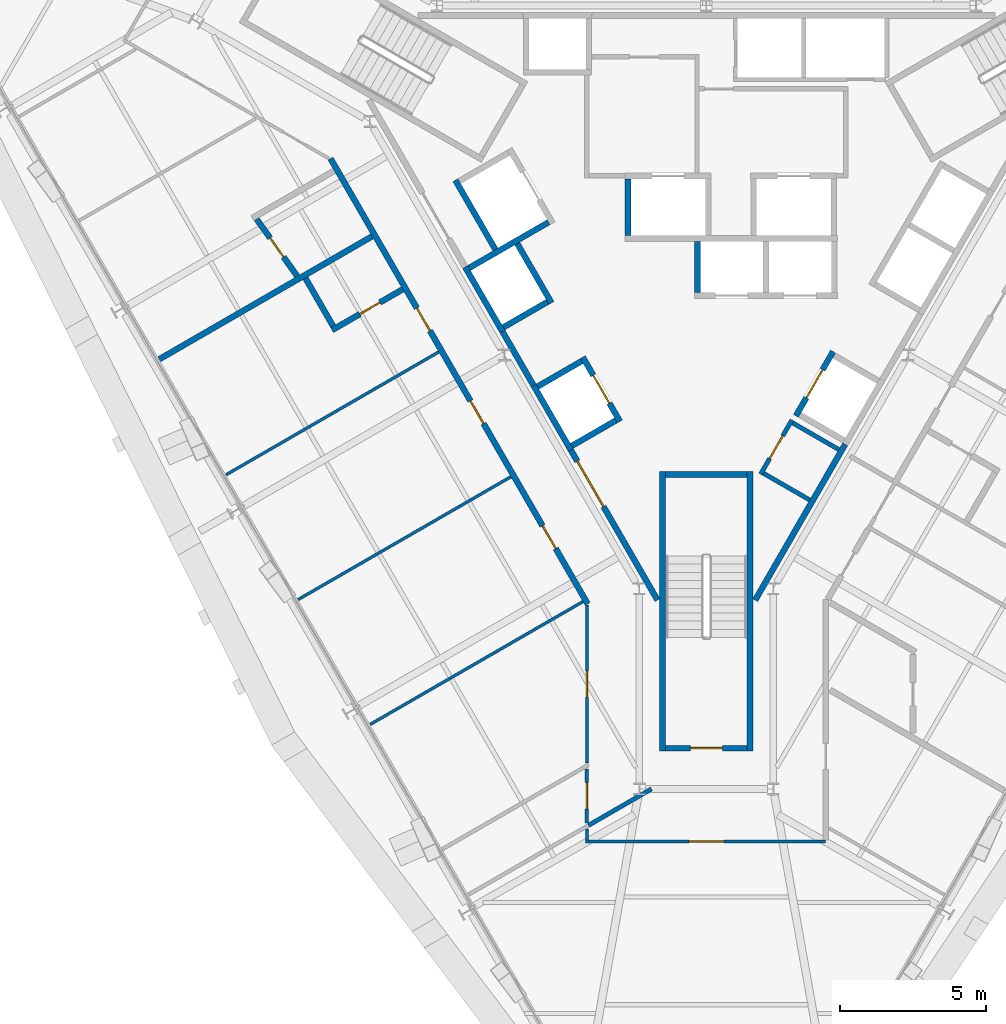
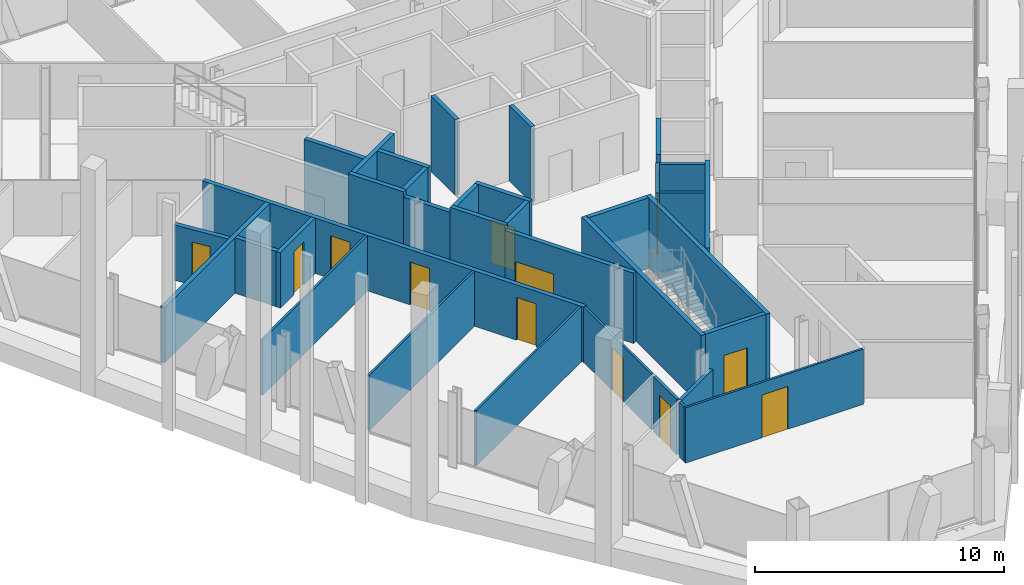
# One storey, part 10 of 15: 35 walls, 13 doors, 13 openings.
"""IFC4 building model written with IfcOpenShell, lengths in metres."""

import ifcopenshell
import ifcopenshell.guid

model = None  # the IFC model being written
_history = None  # IfcOwnerHistory: only IFC2X3 demands one
_inside = {}  # id of a spatial element -> (the spatial element, [elements in it])
_under = {}  # id of a project, library or spatial element -> (it, [spatial elements below it])
_declared = {}  # id of a project -> (the project, [libraries it declares])
_typed = {}  # id of a type object -> (the type object, [elements of that type])
_made_of = {}  # id of a material, layer set ... -> (it, [elements and type objects made of it])


def new_model(schema):
    """Start an empty IFC model of exactly this schema.

    Asked for "IFC4X3", IfcOpenShell would pick the latest addendum, in which some entities
    have other attributes; the version numbers below select the first issue.
    IFC2X3 requires an IfcOwnerHistory on every rooted entity: one is made here for all.
    """
    global model, _history
    if schema == "IFC4X3":
        model = ifcopenshell.file(schema_version=(4, 3, 0, 0))
    else:
        model = ifcopenshell.file(schema=schema)
    _inside.clear()
    _under.clear()
    _declared.clear()
    _typed.clear()
    _made_of.clear()
    _history = None
    if model.schema == "IFC2X3":
        org = make("IfcOrganization", Name="unknown")
        user = make(
            "IfcPersonAndOrganization",
            ThePerson=make("IfcPerson", FamilyName="unknown"),
            TheOrganization=org,
        )
        app = make(
            "IfcApplication",
            ApplicationDeveloper=org,
            Version="unknown",
            ApplicationFullName="unknown",
            ApplicationIdentifier="unknown",
        )
        _history = make(
            "IfcOwnerHistory",
            OwningUser=user,
            OwningApplication=app,
            ChangeAction="ADDED",
            CreationDate=0,
        )
    return model


def make(cls, **values):
    """One entity of the class cls with the attributes given. An attribute that is None is left unset."""
    return model.create_entity(
        cls, **{name: value for name, value in values.items() if value is not None}
    )


def rooted(cls, **values):
    """An entity with a GlobalId (a new one), such as an element, a storey or a relation."""
    return make(cls, GlobalId=ifcopenshell.guid.new(), OwnerHistory=_history, **values)


def si_unit(unit_type, name, prefix=None):
    """IfcSIUnit, for example si_unit("LENGTHUNIT", "METRE", prefix="MILLI")."""
    return make("IfcSIUnit", UnitType=unit_type, Prefix=prefix, Name=name)


def assignment(units):
    """IfcUnitAssignment: the units of a project."""
    return None if units is None else make("IfcUnitAssignment", Units=units)


def point(xyz):
    """IfcCartesianPoint."""
    return None if xyz is None else make("IfcCartesianPoint", Coordinates=xyz)


def direction(xyz):
    """IfcDirection."""
    return None if xyz is None else make("IfcDirection", DirectionRatios=xyz)


def frame(location, z_axis=None, x_axis=None):
    """IfcAxis2Placement3D, a coordinate frame: its origin and axes. An axis left out is left unset."""
    return make(
        "IfcAxis2Placement3D",
        Location=point(location),
        Axis=direction(z_axis),
        RefDirection=direction(x_axis),
    )


def frame_2d(location, x_axis=None):
    """IfcAxis2Placement2D, a coordinate frame in the plane: its origin and x axis."""
    return make(
        "IfcAxis2Placement2D", Location=point(location), RefDirection=direction(x_axis)
    )


def origin():
    """The frame at (0, 0, 0) with its axes left unset."""
    return frame((0.0, 0.0, 0.0))


def place(relative_to, where):
    """IfcLocalPlacement: puts the frame where relative to a parent placement (None: the world)."""
    return make(
        "IfcLocalPlacement", PlacementRelTo=relative_to, RelativePlacement=where
    )


def context(
    kind, dimensions, precision=None, world=None, true_north=None, identifier=None
):
    """IfcGeometricRepresentationContext, for example the 3D "Model" context."""
    return make(
        "IfcGeometricRepresentationContext",
        ContextIdentifier=identifier,
        ContextType=kind,
        CoordinateSpaceDimension=dimensions,
        Precision=precision,
        WorldCoordinateSystem=world,
        TrueNorth=true_north,
    )


def subcontext(parent, identifier, kind, view, scale=None):
    """IfcGeometricRepresentationSubContext, for example "Body" below "Model"."""
    return make(
        "IfcGeometricRepresentationSubContext",
        ContextIdentifier=identifier,
        ContextType=kind,
        ParentContext=parent,
        TargetScale=scale,
        TargetView=view,
    )


def project(units=None, contexts=None):
    """IfcProject with its units and contexts."""
    return rooted(
        "IfcProject",
        Name="project",
        RepresentationContexts=contexts,
        UnitsInContext=assignment(units),
    )


def spatial(cls, under=None, at=None, **own):
    """A site, building, storey or space (cls), placed at a placement, below another one or the project."""
    s = rooted(cls, ObjectPlacement=at, **own)
    if under is not None:
        _under.setdefault(under.id(), (under, []))[1].append(s)
    return s


def profile(cls, at=None, kind="AREA", **sizes):
    """A parametric profile (cls). Its sizes go by their IFC names, for example OverallWidth=200.0."""
    return make(cls, ProfileType=kind, Position=at, **sizes)


def rectangle(**sizes):
    """IfcRectangleProfileDef."""
    return profile("IfcRectangleProfileDef", **sizes)


def extrude(swept, where, along, depth):
    """IfcExtrudedAreaSolid: the profile swept, set in the frame where, extruded along a direction by depth."""
    return make(
        "IfcExtrudedAreaSolid",
        SweptArea=swept,
        Position=where,
        ExtrudedDirection=direction(along),
        Depth=depth,
    )


def shape(context_of_items, identifier, shape_type, items):
    """IfcShapeRepresentation: the items that make up one representation, for example the "Body"."""
    return make(
        "IfcShapeRepresentation",
        ContextOfItems=context_of_items,
        RepresentationIdentifier=identifier,
        RepresentationType=shape_type,
        Items=items,
    )


def material(Name=None, Category=None):
    """IfcMaterial."""
    return make("IfcMaterial", Name=Name, Category=Category)


def layer(
    of_material, thickness, ventilated=None, Name=None, Category=None, Priority=None
):
    """IfcMaterialLayer: one layer of a wall or slab, of a material (None: an air gap)."""
    return make(
        "IfcMaterialLayer",
        Material=of_material,
        LayerThickness=thickness,
        IsVentilated=ventilated,
        Name=Name,
        Category=Category,
        Priority=Priority,
    )


def layer_set(layers, Name=None):
    """IfcMaterialLayerSet."""
    return make("IfcMaterialLayerSet", MaterialLayers=layers, LayerSetName=Name)


def made_of(thing, what):
    """Note that an element or type object is made of a material, layer set ...; save() writes the relation."""
    if what is not None:
        _made_of.setdefault(what.id(), (what, []))[1].append(thing)
    return thing


def type_object(cls, material=None, **own):
    """A type object (cls), such as IfcWallType, which elements share."""
    return made_of(rooted(cls, **own), material)


def element(
    cls,
    number,
    at=None,
    inside=None,
    cuts=None,
    type_object=None,
    material=None,
    context=None,
    identifier="Body",
    shape_type=None,
    held_by="IfcProductDefinitionShape",
    body=None,
    shapes=None,
    **own,
):
    """One element of the class cls, such as IfcWall. Its Tag is "e" and its number.

    at: its placement. inside: the storey or other place that contains it. cuts: it is an
    opening in that element (IfcRelVoidsElement). A single representation is given by context,
    identifier, shape_type and body (its items); several are given by shapes. held_by: the class
    of the entity that holds the representations. save() writes the other relations.
    """
    e = rooted(cls, Tag="e%d" % number, ObjectPlacement=at, **own)
    if body is not None:
        shapes = [shape(context, identifier, shape_type, body)]
    if shapes is not None:
        e.Representation = make(held_by, Representations=shapes)
    if inside is not None:
        _inside.setdefault(inside.id(), (inside, []))[1].append(e)
    if cuts is not None:
        rooted(
            "IfcRelVoidsElement", RelatingBuildingElement=cuts, RelatedOpeningElement=e
        )
    if type_object is not None:
        _typed.setdefault(type_object.id(), (type_object, []))[1].append(e)
    return made_of(e, material)


def fill(opening, filler):
    """IfcRelFillsElement: the door or window that sits in an opening."""
    return rooted(
        "IfcRelFillsElement",
        RelatingOpeningElement=opening,
        RelatedBuildingElement=filler,
    )


def aggregate(whole, parts):
    """IfcRelAggregates: a whole, such as a stair, and the parts it consists of."""
    return rooted("IfcRelAggregates", RelatingObject=whole, RelatedObjects=parts)


def save(model, path):
    """Write the relations noted so far, then the file.

    IfcRelAggregates (storeys below a building ...), IfcRelContainedInSpatialStructure (elements
    in a storey), IfcRelDefinesByType, IfcRelAssociatesMaterial and IfcRelDeclares: one each for
    every whole, place, type object, material and project.
    """
    for whole, parts in _under.values():
        aggregate(whole, parts)
    for where, things in _inside.values():
        rooted(
            "IfcRelContainedInSpatialStructure",
            RelatedElements=things,
            RelatingStructure=where,
        )
    for kind, things in _typed.values():
        rooted("IfcRelDefinesByType", RelatedObjects=things, RelatingType=kind)
    for what, things in _made_of.values():
        rooted("IfcRelAssociatesMaterial", RelatedObjects=things, RelatingMaterial=what)
    for by, libraries in _declared.values():
        rooted("IfcRelDeclares", RelatingContext=by, RelatedDefinitions=libraries)
    model.write(path)


model = new_model("IFC4")

# Units and contexts
model_context = context("Model", 3, precision=1e-05, world=origin(), true_north=direction((0.0, 1.0)))
body_context = subcontext(model_context, "Body", "Model", "MODEL_VIEW")
ifc_project = project(units=[si_unit("LENGTHUNIT", "METRE"), si_unit("AREAUNIT", "SQUARE_METRE"), si_unit("VOLUMEUNIT", "CUBIC_METRE"), si_unit("PLANEANGLEUNIT", "RADIAN"), si_unit("MASSUNIT", "GRAM", prefix="KILO")], contexts=[model_context])

# Site, building, storey
site_placement = place(None, origin())
site = spatial("IfcSite", under=ifc_project, at=site_placement, CompositionType="ELEMENT")
building_placement = place(site_placement, origin())
building = spatial("IfcBuilding", under=site, at=building_placement, Name="Verrane Prism Tower", CompositionType="ELEMENT")
storey_placement = place(building_placement, frame((0.0, 0.0, 189.5)))
storey = spatial("IfcBuildingStorey", under=building, at=storey_placement, Name="L47", CompositionType="ELEMENT", Elevation=189.5)

# Wall
ifc_material_1 = material(Name="Gypsum board partition", Category="other")
ifc_layer_1 = layer(ifc_material_1, 0.199951171875)
ifc_layer_set_1 = layer_set([ifc_layer_1], Name="CW-200 core boundary wall 2 h")
wall_type_1 = type_object("IfcWallType", Name="CW-200 core boundary wall 2 h", PredefinedType="PARTITIONING", material=ifc_layer_set_1)
wall_1_placement = place(storey_placement, frame((-7.0048828125, -3.18701171875, 0.0), z_axis=(0.0, 0.0, 1.0), x_axis=(0.499689606989, -0.866204535123, 0.0)))
element("IfcWall", 1, at=wall_1_placement, inside=storey, type_object=wall_type_1, Name="Core boundary wall CW3-003", PredefinedType="PARTITIONING", context=body_context, shape_type="SweptSolid", body=[
    extrude(rectangle(XDim=2.144775390625, YDim=0.199951171875, at=frame_2d((1.072265625, 0.0))), origin(), (0.0, 0.0, 1.0), 3.449951171875),
])

# Wall, opening, door
wall_2_placement = place(storey_placement, frame((-4.655029296875, -7.257080078125, 0.0), z_axis=(0.0, 0.0, 1.0), x_axis=(0.499966124405, -0.866044960985, 0.0)))
wall_2 = element("IfcWall", 2, at=wall_2_placement, inside=storey, type_object=wall_type_1, Name="Core boundary wall CW3-004", PredefinedType="PARTITIONING", context=body_context, shape_type="SweptSolid", body=[
    extrude(rectangle(XDim=5.95556640625, YDim=0.199951171875, at=frame_2d((2.977783203125, 0.0))), origin(), (0.0, 0.0, 1.0), 3.449951171875),
])
opening_1_placement = place(wall_2_placement, frame((0.449951171875, 0.0, 0.0)))
opening_1 = element("IfcOpeningElement", 3, at=opening_1_placement, cuts=wall_2, Name="Opening D47511", PredefinedType="OPENING", context=body_context, shape_type="SweptSolid", body=[
    extrude(rectangle(XDim=1.800048828125, YDim=2.10009765625, at=frame_2d((0.89990234375, 1.050048828125))), frame((0.0, 0.10986328125, 0.0), z_axis=(0.0, -1.0, 0.0), x_axis=(1.0, 0.0, 0.0)), (0.0, 0.0, 1.0), 0.219970703125),
])
ifc_material_2 = material(Name="Timber veneered door leaf", Category="wood")
door_type_1 = type_object("IfcDoorType", Name="DR-1800x2100 FD60 double leaf lift lobby", OperationType="NOTDEFINED", PredefinedType="DOOR", material=ifc_material_2)
door_1_placement = place(opening_1_placement, origin())
door_1 = element("IfcDoor", 4, at=door_1_placement, inside=storey, type_object=door_type_1, Name="Lift lobby door D47511", OperationType="DOUBLE_DOOR_SINGLE_SWING", OverallHeight=2.10009765625, OverallWidth=1.800048828125, PredefinedType="DOOR", context=body_context, shape_type="SweptSolid", body=[
    extrude(rectangle(XDim=1.800048828125, YDim=2.10009765625, at=frame_2d((0.89990234375, 1.050048828125))), frame((0.0, 0.02490234375, 0.0), z_axis=(0.0, -1.0, 0.0), x_axis=(1.0, 0.0, 0.0)), (0.0, 0.0, 1.0), 0.050048828125),
])
fill(opening_1, door_1)

# Wall
wall_3_placement = place(storey_placement, frame((1.677490234375, -12.414794921875, 0.0), z_axis=(0.0, 0.0, 1.0), x_axis=(0.500054337157, 0.865994029939, 0.0)))
element("IfcWall", 5, at=wall_3_placement, inside=storey, type_object=wall_type_1, Name="Core boundary wall CW3-006", PredefinedType="PARTITIONING", context=body_context, shape_type="SweptSolid", body=[
    extrude(rectangle(XDim=6.176513671875, YDim=0.199951171875, at=frame_2d((3.08837890625, 0.0))), origin(), (0.0, 0.0, 1.0), 3.449951171875),
])

# Wall, opening, door
ifc_material_3 = material(Name="Concrete C40/50", Category="concrete")
ifc_layer_2 = layer(ifc_material_3, 0.199951171875)
ifc_layer_set_2 = layer_set([ifc_layer_2], Name="CW-200 stair core wall concrete C40/50 3 h")
wall_type_2 = type_object("IfcWallType", Name="CW-200 stair core wall concrete C40/50 3 h", PredefinedType="PARTITIONING", material=ifc_layer_set_2)
wall_4_placement = place(storey_placement, frame((-1.39990234375, -17.5, 0.0), z_axis=(0.0, 0.0, 1.0), x_axis=(1.0, 0.0, 0.0)))
wall_4 = element("IfcWall", 6, at=wall_4_placement, inside=storey, type_object=wall_type_2, Name="Stair 3 enclosure wall", PredefinedType="PARTITIONING", context=body_context, shape_type="SweptSolid", body=[
    extrude(rectangle(XDim=2.7998046875, YDim=0.199951171875, at=frame_2d((1.39990234375, 0.0))), origin(), (0.0, 0.0, 1.0), 3.449951171875),
])
opening_2_placement = place(wall_4_placement, frame((0.85009765625, 0.0, 0.0)))
opening_2 = element("IfcOpeningElement", 7, at=opening_2_placement, cuts=wall_4, Name="Opening D47502", PredefinedType="OPENING", context=body_context, shape_type="SweptSolid", body=[
    extrude(rectangle(XDim=1.10009765625, YDim=2.10009765625, at=frame_2d((0.550048828125, 1.050048828125))), frame((0.0, 0.10986328125, 0.0), z_axis=(0.0, -1.0, 0.0), x_axis=(1.0, 0.0, 0.0)), (0.0, 0.0, 1.0), 0.219970703125),
])
ifc_material_4 = material(Name="Timber veneered door leaf", Category="wood")
door_type_2 = type_object("IfcDoorType", Name="DR-1100x2100 FD90 single leaf stair", OperationType="NOTDEFINED", PredefinedType="DOOR", material=ifc_material_4)
door_2_placement = place(opening_2_placement, origin())
door_2 = element("IfcDoor", 8, at=door_2_placement, inside=storey, type_object=door_type_2, Name="Stair 3 door", OperationType="SINGLE_SWING_LEFT", OverallHeight=2.10009765625, OverallWidth=1.10009765625, PredefinedType="DOOR", context=body_context, shape_type="SweptSolid", body=[
    extrude(rectangle(XDim=1.10009765625, YDim=2.10009765625, at=frame_2d((0.550048828125, 1.050048828125))), frame((0.0, 0.02490234375, 0.0), z_axis=(0.0, -1.0, 0.0), x_axis=(1.0, 0.0, 0.0)), (0.0, 0.0, 1.0), 0.050048828125),
])
fill(opening_2, door_2)

# Walls
for number, where, z_axis, x_axis, name in (
    (9, (1.5, -8.0, 0.0), (0.0, 0.0, 1.0), (0.0, -1.0, 0.0), "Stair 3 enclosure wall"),
    (10, (-1.5, -8.0, 0.0), (0.0, 0.0, 1.0), (0.0, -1.0, 0.0), "Stair 3 enclosure wall"),
):
    element("IfcWall", number, at=place(storey_placement, frame(where, z_axis=z_axis, x_axis=x_axis)), inside=storey, type_object=wall_type_2, Name=name, PredefinedType="PARTITIONING", context=body_context, shape_type="SweptSolid", body=[
        extrude(rectangle(XDim=9.60009765625, YDim=0.199951171875, at=frame_2d((4.800048828125, 0.0))), origin(), (0.0, 0.0, 1.0), 3.449951171875),
    ])
wall_5_placement = place(storey_placement, frame((-1.39990234375, -8.10009765625, 0.0), z_axis=(0.0, 0.0, 1.0), x_axis=(1.0, 0.0, 0.0)))
element("IfcWall", 11, at=wall_5_placement, inside=storey, type_object=wall_type_2, Name="Stair 3 enclosure wall", PredefinedType="PARTITIONING", context=body_context, shape_type="SweptSolid", body=[
    extrude(rectangle(XDim=2.7998046875, YDim=0.199951171875, at=frame_2d((1.39990234375, 0.0))), origin(), (0.0, 0.0, 1.0), 3.449951171875),
])
ifc_material_5 = material(Name="Gypsum board shaft wall assembly", Category="other")
ifc_layer_3 = layer(ifc_material_5, 0.199951171875)
ifc_layer_set_3 = layer_set([ifc_layer_3], Name="HW-200 lift shaft wall 2 h")
wall_type_3 = type_object("IfcWallType", Name="HW-200 lift shaft wall 2 h", PredefinedType="PARTITIONING", material=ifc_layer_set_3)
for number, where, z_axis, x_axis, name in (
    (12, (-4.61962890625, -7.118408203125, 0.0), (0.0, 0.0, 1.0), (0.866036909293, 0.499980071345, 0.0), "Lift shaft wall"),
    (13, (-5.794677734375, -5.083251953125, 0.0), (0.0, 0.0, 1.0), (0.866036909293, 0.499980071345, 0.0), "Lift shaft wall"),
    (14, (-6.9697265625, -3.048095703125, 0.0), (0.0, 0.0, 1.0), (0.866036909293, 0.499980071345, 0.0), "Lift shaft wall"),
):
    element("IfcWall", number, at=place(storey_placement, frame(where, z_axis=z_axis, x_axis=x_axis)), inside=storey, type_object=wall_type_3, Name=name, PredefinedType="PARTITIONING", context=body_context, shape_type="SweptSolid", body=[
        extrude(rectangle(XDim=1.75, YDim=0.199951171875, at=frame_2d((0.875, 0.0))), origin(), (0.0, 0.0, 1.0), 3.699951171875),
    ])
wall_6_placement = place(storey_placement, frame((-8.14453125, -1.012939453125, 0.0), z_axis=(0.0, 0.0, 1.0), x_axis=(0.866016494683, 0.500015430699, 0.0)))
element("IfcWall", 15, at=wall_6_placement, inside=storey, type_object=wall_type_3, Name="Lift shaft wall", PredefinedType="PARTITIONING", context=body_context, shape_type="SweptSolid", body=[
    extrude(rectangle(XDim=3.14990234375, YDim=0.199951171875, at=frame_2d((1.574951171875, 0.0))), origin(), (0.0, 0.0, 1.0), 3.699951171875),
])

# Wall, opening, door
wall_7_placement = place(storey_placement, frame((3.077392578125, -6.089599609375, 0.0), z_axis=(0.0, 0.0, 1.0), x_axis=(0.500062241894, 0.865989465428, 0.0)))
wall_7 = element("IfcWall", 16, at=wall_7_placement, inside=storey, type_object=wall_type_3, Name="Lift shaft wall", PredefinedType="PARTITIONING", context=body_context, shape_type="SweptSolid", body=[
    extrude(rectangle(XDim=2.550048828125, YDim=0.199951171875, at=frame_2d((1.27490234375, 0.0))), origin(), (0.0, 0.0, 1.0), 3.699951171875),
])
opening_3_placement = place(wall_7_placement, frame((0.72509765625, 0.0, 0.0)))
opening_3 = element("IfcOpeningElement", 17, at=opening_3_placement, cuts=wall_7, Name="Opening D47505", PredefinedType="OPENING", context=body_context, shape_type="SweptSolid", body=[
    extrude(rectangle(XDim=1.10009765625, YDim=2.10009765625, at=frame_2d((0.550048828125, 1.050048828125))), frame((0.0, 0.10986328125, 0.0), z_axis=(0.0, -1.0, 0.0), x_axis=(1.0, 0.0, 0.0)), (0.0, 0.0, 1.0), 0.219970703125),
])
ifc_material_6 = material(Name="Stainless steel sliding landing door", Category="steel")
door_type_3 = type_object("IfcDoorType", Name="LD-1100x2100 lift landing door FD90 sliding", OperationType="NOTDEFINED", PredefinedType="DOOR", material=ifc_material_6)
door_3_placement = place(opening_3_placement, origin())
door_3 = element("IfcDoor", 18, at=door_3_placement, inside=storey, type_object=door_type_3, Name="Bank B lift 3 landing door", OperationType="SLIDING_TO_LEFT", OverallHeight=2.10009765625, OverallWidth=1.10009765625, PredefinedType="DOOR", context=body_context, shape_type="SweptSolid", body=[
    extrude(rectangle(XDim=1.10009765625, YDim=2.10009765625, at=frame_2d((0.550048828125, 1.050048828125))), frame((0.0, 0.02490234375, 0.0), z_axis=(0.0, -1.0, 0.0), x_axis=(1.0, 0.0, 0.0)), (0.0, 0.0, 1.0), 0.050048828125),
])
fill(opening_3, door_3)

# Walls
wall_8_placement = place(storey_placement, frame((-0.304931640625, -1.85009765625, 0.0), z_axis=(0.0, 0.0, 1.0), x_axis=(0.0, 1.0, 0.0)))
element("IfcWall", 19, at=wall_8_placement, inside=storey, type_object=wall_type_3, Name="Lift shaft wall", PredefinedType="PARTITIONING", context=body_context, shape_type="SweptSolid", body=[
    extrude(rectangle(XDim=1.75, YDim=0.199951171875, at=frame_2d((0.875, 0.0))), origin(), (0.0, 0.0, 1.0), 3.699951171875),
])
wall_9_placement = place(storey_placement, frame((-2.68505859375, 0.10009765625, 0.0), z_axis=(0.0, 0.0, 1.0), x_axis=(0.0, 1.0, 0.0)))
element("IfcWall", 20, at=wall_9_placement, inside=storey, type_object=wall_type_3, Name="Lift shaft wall", PredefinedType="PARTITIONING", context=body_context, shape_type="SweptSolid", body=[
    extrude(rectangle(XDim=1.949951171875, YDim=0.199951171875, at=frame_2d((0.97509765625, 0.0))), origin(), (0.0, 0.0, 1.0), 3.699951171875),
])

# Wall, opening, door
wall_10_placement = place(storey_placement, frame((-2.967529296875, -6.280029296875, 0.0), z_axis=(0.0, 0.0, 1.0), x_axis=(-0.499990435942, 0.866030925526, 0.0)))
wall_10 = element("IfcWall", 21, at=wall_10_placement, inside=storey, type_object=wall_type_3, Name="Lift shaft wall", PredefinedType="PARTITIONING", context=body_context, shape_type="SweptSolid", body=[
    extrude(rectangle(XDim=2.5498046875, YDim=0.199951171875, at=frame_2d((1.27490234375, 0.0))), origin(), (0.0, 0.0, 1.0), 3.699951171875),
])
opening_4_placement = place(wall_10_placement, frame((0.72509765625, 0.0, 0.0)))
opening_4 = element("IfcOpeningElement", 22, at=opening_4_placement, cuts=wall_10, Name="Opening D47506", PredefinedType="OPENING", context=body_context, shape_type="SweptSolid", body=[
    extrude(rectangle(XDim=1.10009765625, YDim=2.10009765625, at=frame_2d((0.550048828125, 1.050048828125))), frame((0.0, 0.10986328125, 0.0), z_axis=(0.0, -1.0, 0.0), x_axis=(1.0, 0.0, 0.0)), (0.0, 0.0, 1.0), 0.219970703125),
])
door_4_placement = place(opening_4_placement, origin())
door_4 = element("IfcDoor", 23, at=door_4_placement, inside=storey, type_object=door_type_3, Name="Bank B lift 4 landing door", OperationType="SLIDING_TO_RIGHT", OverallHeight=2.10009765625, OverallWidth=1.10009765625, PredefinedType="DOOR", context=body_context, shape_type="SweptSolid", body=[
    extrude(rectangle(XDim=1.10009765625, YDim=2.10009765625, at=frame_2d((0.550048828125, 1.050048828125))), frame((0.0, 0.02490234375, 0.0), z_axis=(0.0, -1.0, 0.0), x_axis=(1.0, 0.0, 0.0)), (0.0, 0.0, 1.0), 0.050048828125),
])
fill(opening_4, door_4)

# Walls
wall_11_placement = place(storey_placement, frame((-5.317626953125, -2.209716796875, 0.0), z_axis=(0.0, 0.0, 1.0), x_axis=(-0.499938297808, 0.866061024631, 0.0)))
element("IfcWall", 24, at=wall_11_placement, inside=storey, type_object=wall_type_3, Name="Lift shaft wall", PredefinedType="PARTITIONING", context=body_context, shape_type="SweptSolid", body=[
    extrude(rectangle(XDim=2.349853515625, YDim=0.199951171875, at=frame_2d((1.1748046875, 0.0))), origin(), (0.0, 0.0, 1.0), 3.699951171875),
])
wall_12_placement = place(storey_placement, frame((-7.241943359375, -0.37646484375, 0.0), z_axis=(0.0, 0.0, 1.0), x_axis=(-0.499996545922, 0.866027397988, 0.0)))
element("IfcWall", 25, at=wall_12_placement, inside=storey, type_object=wall_type_3, Name="Lift shaft wall", PredefinedType="PARTITIONING", context=body_context, shape_type="SweptSolid", body=[
    extrude(rectangle(XDim=2.75, YDim=0.199951171875, at=frame_2d((1.375, 0.0))), origin(), (0.0, 0.0, 1.0), 3.699951171875),
])
for number, where, z_axis, x_axis, name in (
    (26, (-4.65625, -7.255126953125, 0.0), (0.0, 0.0, 1.0), (-0.499990435942, 0.866030925526, 0.0), "Lift shaft wall"),
    (27, (-7.00634765625, -3.184814453125, 0.0), (0.0, 0.0, 1.0), (-0.499990435942, 0.866030925526, 0.0), "Lift shaft wall"),
):
    element("IfcWall", number, at=place(storey_placement, frame(where, z_axis=z_axis, x_axis=x_axis)), inside=storey, type_object=wall_type_3, Name=name, PredefinedType="PARTITIONING", context=body_context, shape_type="SweptSolid", body=[
        extrude(rectangle(XDim=2.5498046875, YDim=0.199951171875, at=frame_2d((1.27490234375, 0.0))), origin(), (0.0, 0.0, 1.0), 3.699951171875),
    ])
ifc_material_7 = material(Name="Gypsum board partition", Category="other")
ifc_layer_4 = layer(ifc_material_7, 0.10009765625)
ifc_layer_set_4 = layer_set([ifc_layer_4], Name="PW-100 room partition")
wall_type_4 = type_object("IfcWallType", Name="PW-100 room partition", PredefinedType="PARTITIONING", material=ifc_layer_set_4)
wall_13_placement = place(storey_placement, frame((-16.4892578125, -8.1103515625, 0.0), z_axis=(0.0, 0.0, 1.0), x_axis=(0.865995531057, 0.500051737513, 0.0)))
element("IfcWall", 28, at=wall_13_placement, inside=storey, type_object=wall_type_4, Name="Room partition 006", PredefinedType="PARTITIONING", context=body_context, shape_type="SweptSolid", body=[
    extrude(rectangle(XDim=8.4287109375, YDim=0.10009765625, at=frame_2d((4.21435546875, 0.0))), origin(), (0.0, 0.0, 1.0), 2.712890625),
])
wall_14_placement = place(storey_placement, frame((-14.014892578125, -12.39599609375, 0.0), z_axis=(0.0, 0.0, 1.0), x_axis=(0.866079962101, 0.499905490315, 0.0)))
element("IfcWall", 29, at=wall_14_placement, inside=storey, type_object=wall_type_4, Name="Room partition 011", PredefinedType="PARTITIONING", context=body_context, shape_type="SweptSolid", body=[
    extrude(rectangle(XDim=8.428955078125, YDim=0.10009765625, at=frame_2d((4.21435546875, 0.0))), origin(), (0.0, 0.0, 1.0), 2.712890625),
])
wall_15_placement = place(storey_placement, frame((-11.540283203125, -16.68212890625, 0.0), z_axis=(0.0, 0.0, 1.0), x_axis=(0.866063141794, 0.499934630153, 0.0)))
element("IfcWall", 30, at=wall_15_placement, inside=storey, type_object=wall_type_4, Name="Room partition 015", PredefinedType="PARTITIONING", context=body_context, shape_type="SweptSolid", body=[
    extrude(rectangle(XDim=8.433349609375, YDim=0.10009765625, at=frame_2d((4.216796875, 0.0))), origin(), (0.0, 0.0, 1.0), 2.712890625),
])
wall_16_placement = place(storey_placement, frame((-4.10009765625, -20.64990234375, 0.0), z_axis=(0.0, 0.0, 1.0), x_axis=(0.0, 1.0, 0.0)))
element("IfcWall", 31, at=wall_16_placement, inside=storey, type_object=wall_type_4, Name="Room partition 021", PredefinedType="PARTITIONING", context=body_context, shape_type="SweptSolid", body=[
    extrude(rectangle(XDim=0.369873046875, YDim=0.10009765625, at=frame_2d((0.18505859375, 0.0))), origin(), (0.0, 0.0, 1.0), 2.712890625),
])

# Wall, opening, door
wall_17_placement = place(storey_placement, frame((4.10009765625, -20.699951171875, 0.0), z_axis=(0.0, 0.0, 1.0), x_axis=(-1.0, 0.0, 0.0)))
wall_17 = element("IfcWall", 32, at=wall_17_placement, inside=storey, type_object=wall_type_4, Name="Room partition 022", PredefinedType="PARTITIONING", context=body_context, shape_type="SweptSolid", body=[
    extrude(rectangle(XDim=8.25, YDim=0.10009765625, at=frame_2d((4.125, 0.0))), origin(), (0.0, 0.0, 1.0), 2.712890625),
])
opening_5_placement = place(wall_17_placement, frame((3.5, 0.0, 0.0)))
opening_5 = element("IfcOpeningElement", 33, at=opening_5_placement, cuts=wall_17, Name="Opening D47027", PredefinedType="OPENING", context=body_context, shape_type="SweptSolid", body=[
    extrude(rectangle(XDim=1.199951171875, YDim=2.10009765625, at=frame_2d((0.60009765625, 1.050048828125))), frame((0.0, 0.06005859375, 0.0), z_axis=(0.0, -1.0, 0.0), x_axis=(1.0, 0.0, 0.0)), (0.0, 0.0, 1.0), 0.1201171875),
])
ifc_material_8 = material(Name="Timber veneered door leaf", Category="wood")
door_type_4 = type_object("IfcDoorType", Name="DR-1200x2100 single leaf unit", OperationType="NOTDEFINED", PredefinedType="DOOR", material=ifc_material_8)
door_5_placement = place(opening_5_placement, origin())
door_5 = element("IfcDoor", 34, at=door_5_placement, inside=storey, type_object=door_type_4, Name="Living And Dining Room door", OperationType="SINGLE_SWING_RIGHT", OverallHeight=2.10009765625, OverallWidth=1.199951171875, PredefinedType="DOOR", context=body_context, shape_type="SweptSolid", body=[
    extrude(rectangle(XDim=1.199951171875, YDim=2.10009765625, at=frame_2d((0.60009765625, 1.050048828125))), frame((0.0, 0.02490234375, 0.0), z_axis=(0.0, -1.0, 0.0), x_axis=(1.0, 0.0, 0.0)), (0.0, 0.0, 1.0), 0.050048828125),
])
fill(opening_5, door_5)

wall_18_placement = place(storey_placement, frame((-4.10009765625, -18.01611328125, 0.0), z_axis=(0.0, 0.0, 1.0), x_axis=(0.0, 1.0, 0.0)))
wall_18 = element("IfcWall", 35, at=wall_18_placement, inside=storey, type_object=wall_type_4, Name="Room partition 025", PredefinedType="PARTITIONING", context=body_context, shape_type="SweptSolid", body=[
    extrude(rectangle(XDim=5.42919921875, YDim=0.10009765625, at=frame_2d((2.714599609375, 0.0))), origin(), (0.0, 0.0, 1.0), 2.712890625),
])
opening_6_placement = place(wall_18_placement, frame((2.264892578125, 0.0, 0.0)))
opening_6 = element("IfcOpeningElement", 36, at=opening_6_placement, cuts=wall_18, Name="Opening D47026", PredefinedType="OPENING", context=body_context, shape_type="SweptSolid", body=[
    extrude(rectangle(XDim=0.89990234375, YDim=2.10009765625, at=frame_2d((0.449951171875, 1.050048828125))), frame((0.0, 0.06005859375, 0.0), z_axis=(0.0, -1.0, 0.0), x_axis=(1.0, 0.0, 0.0)), (0.0, 0.0, 1.0), 0.1201171875),
])
ifc_material_9 = material(Name="Timber veneered door leaf", Category="wood")
door_type_5 = type_object("IfcDoorType", Name="DR-900x2100 single leaf unit", OperationType="NOTDEFINED", PredefinedType="DOOR", material=ifc_material_9)
door_6_placement = place(opening_6_placement, origin())
door_6 = element("IfcDoor", 37, at=door_6_placement, inside=storey, type_object=door_type_5, Name="Study door", OperationType="SINGLE_SWING_RIGHT", OverallHeight=2.10009765625, OverallWidth=0.89990234375, PredefinedType="DOOR", context=body_context, shape_type="SweptSolid", body=[
    extrude(rectangle(XDim=0.89990234375, YDim=2.10009765625, at=frame_2d((0.449951171875, 1.050048828125))), frame((0.0, 0.02490234375, 0.0), z_axis=(0.0, -1.0, 0.0), x_axis=(1.0, 0.0, 0.0)), (0.0, 0.0, 1.0), 0.050048828125),
])
fill(opening_6, door_6)

ifc_material_10 = material(Name="Gypsum board partition", Category="other")
ifc_layer_5 = layer(ifc_material_10, 0.125)
ifc_layer_set_5 = layer_set([ifc_layer_5], Name="PW-125 corridor wall 1 h")
wall_type_5 = type_object("IfcWallType", Name="PW-125 corridor wall 1 h", PredefinedType="PARTITIONING", material=ifc_layer_set_5)
wall_19_placement = place(storey_placement, frame((-4.10009765625, -18.2060546875, 0.0), z_axis=(0.0, 0.0, 1.0), x_axis=(0.0, -1.0, 0.0)))
wall_19 = element("IfcWall", 38, at=wall_19_placement, inside=storey, type_object=wall_type_5, Name="Corridor wall 023", PredefinedType="PARTITIONING", context=body_context, shape_type="SweptSolid", body=[
    extrude(rectangle(XDim=1.85400390625, YDim=0.125, at=frame_2d((0.927001953125, 0.0))), origin(), (0.0, 0.0, 1.0), 2.712890625),
])
opening_7_placement = place(wall_19_placement, frame((0.47412109375, 0.0, 0.0)))
opening_7 = element("IfcOpeningElement", 39, at=opening_7_placement, cuts=wall_19, Name="Opening D47029", PredefinedType="OPENING", context=body_context, shape_type="SweptSolid", body=[
    extrude(rectangle(XDim=0.89990234375, YDim=2.10009765625, at=frame_2d((0.449951171875, 1.050048828125))), frame((0.0, 0.072509765625, 0.0), z_axis=(0.0, -1.0, 0.0), x_axis=(1.0, 0.0, 0.0)), (0.0, 0.0, 1.0), 0.14501953125),
])
ifc_material_11 = material(Name="Timber veneered door leaf", Category="wood")
door_type_6 = type_object("IfcDoorType", Name="DR-900x2100 FD20 single leaf unit", OperationType="NOTDEFINED", PredefinedType="DOOR", material=ifc_material_11)
door_7_placement = place(opening_7_placement, origin())
door_7 = element("IfcDoor", 40, at=door_7_placement, inside=storey, type_object=door_type_6, Name="Entrance Hall door", OperationType="SINGLE_SWING_RIGHT", OverallHeight=2.10009765625, OverallWidth=0.89990234375, PredefinedType="DOOR", context=body_context, shape_type="SweptSolid", body=[
    extrude(rectangle(XDim=0.89990234375, YDim=2.10009765625, at=frame_2d((0.449951171875, 1.050048828125))), frame((0.0, 0.02490234375, 0.0), z_axis=(0.0, -1.0, 0.0), x_axis=(1.0, 0.0, 0.0)), (0.0, 0.0, 1.0), 0.050048828125),
])
fill(opening_7, door_7)

# Walls
ifc_material_12 = material(Name="Gypsum board partition", Category="other")
ifc_layer_6 = layer(ifc_material_12, 0.14990234375)
ifc_layer_set_6 = layer_set([ifc_layer_6], Name="PW-150 demising wall 1 h")
wall_type_6 = type_object("IfcWallType", Name="PW-150 demising wall 1 h", PredefinedType="PARTITIONING", material=ifc_layer_set_6)
wall_20_placement = place(storey_placement, frame((-4.0458984375, -20.148681640625, 0.0), z_axis=(0.0, 0.0, 1.0), x_axis=(0.865916841101, 0.500187988959, 0.0)))
element("IfcWall", 41, at=wall_20_placement, inside=storey, type_object=wall_type_6, Name="Demising wall 024", PredefinedType="PARTITIONING", context=body_context, shape_type="SweptSolid", body=[
    extrude(rectangle(XDim=2.49658203125, YDim=0.14990234375, at=frame_2d((1.248291015625, 0.0))), origin(), (0.0, 0.0, 1.0), 2.712890625),
])
ifc_material_13 = material(Name="Gypsum board partition", Category="other")
ifc_layer_7 = layer(ifc_material_13, 0.199951171875)
ifc_layer_set_7 = layer_set([ifc_layer_7], Name="PW-200 plumbing wall")
wall_type_7 = type_object("IfcWallType", Name="PW-200 plumbing wall", PredefinedType="PARTITIONING", material=ifc_layer_set_7)
wall_21_placement = place(storey_placement, frame((-18.7802734375, -4.141845703125, 0.0), z_axis=(0.0, 0.0, 1.0), x_axis=(0.866020616849, 0.500008291124, 0.0)))
element("IfcWall", 42, at=wall_21_placement, inside=storey, type_object=wall_type_7, Name="Plumbing wall 005", PredefinedType="PARTITIONING", context=body_context, shape_type="SweptSolid", body=[
    extrude(rectangle(XDim=8.428466796875, YDim=0.199951171875, at=frame_2d((4.21435546875, 0.0))), origin(), (0.0, 0.0, 1.0), 2.712890625),
])

# Wall, opening, door
wall_22_placement = place(storey_placement, frame((-15.438232421875, 0.663330078125, 0.0), z_axis=(0.0, 0.0, 1.0), x_axis=(0.579721135961, -0.81481495109, 0.0)))
wall_22 = element("IfcWall", 43, at=wall_22_placement, inside=storey, type_object=wall_type_7, Name="Plumbing wall 008", PredefinedType="PARTITIONING", context=body_context, shape_type="SweptSolid", body=[
    extrude(rectangle(XDim=2.3916015625, YDim=0.199951171875, at=frame_2d((1.19580078125, 0.0))), origin(), (0.0, 0.0, 1.0), 2.712890625),
])
opening_8_placement = place(wall_22_placement, frame((0.7900390625, 0.0, 0.0)))
opening_8 = element("IfcOpeningElement", 44, at=opening_8_placement, cuts=wall_22, Name="Opening D47021", PredefinedType="OPENING", context=body_context, shape_type="SweptSolid", body=[
    extrude(rectangle(XDim=0.800048828125, YDim=2.10009765625, at=frame_2d((0.39990234375, 1.050048828125))), frame((0.0, 0.10986328125, 0.0), z_axis=(0.0, -1.0, 0.0), x_axis=(1.0, 0.0, 0.0)), (0.0, 0.0, 1.0), 0.219970703125),
])
ifc_material_14 = material(Name="Timber veneered door leaf", Category="wood")
door_type_7 = type_object("IfcDoorType", Name="DR-800x2100 single leaf bath", OperationType="NOTDEFINED", PredefinedType="DOOR", material=ifc_material_14)
door_8_placement = place(opening_8_placement, origin())
door_8 = element("IfcDoor", 45, at=door_8_placement, inside=storey, type_object=door_type_7, Name="Master Bathroom door", OperationType="SINGLE_SWING_LEFT", OverallHeight=2.10009765625, OverallWidth=0.800048828125, PredefinedType="DOOR", context=body_context, shape_type="SweptSolid", body=[
    extrude(rectangle(XDim=0.800048828125, YDim=2.10009765625, at=frame_2d((0.39990234375, 1.050048828125))), frame((0.0, 0.02490234375, 0.0), z_axis=(0.0, -1.0, 0.0), x_axis=(1.0, 0.0, 0.0)), (0.0, 0.0, 1.0), 0.050048828125),
])
fill(opening_8, door_8)

# Wall
wall_23_placement = place(storey_placement, frame((-13.764892578125, -1.361572265625, 0.0), z_axis=(0.0, 0.0, 1.0), x_axis=(0.499911523785, -0.866076479525, 0.0)))
element("IfcWall", 46, at=wall_23_placement, inside=storey, type_object=wall_type_7, Name="Plumbing wall 012", PredefinedType="PARTITIONING", context=body_context, shape_type="SweptSolid", body=[
    extrude(rectangle(XDim=1.900146484375, YDim=0.199951171875, at=frame_2d((0.9501953125, 0.0))), origin(), (0.0, 0.0, 1.0), 2.712890625),
])

# Wall, openings, doors
wall_24_placement = place(storey_placement, frame((-4.074951171875, -12.54541015625, 0.0), z_axis=(0.0, 0.0, 1.0), x_axis=(-0.499999743747, 0.866025551732, 0.0)))
wall_24 = element("IfcWall", 47, at=wall_24_placement, inside=storey, type_object=wall_type_7, Name="Plumbing wall 013", PredefinedType="PARTITIONING", context=body_context, shape_type="SweptSolid", body=[
    extrude(rectangle(XDim=17.65625, YDim=0.199951171875, at=frame_2d((8.828125, 0.0))), origin(), (0.0, 0.0, 1.0), 2.712890625),
])
opening_9_placement = place(wall_24_placement, frame((10.830078125, 0.0, 0.0)))
opening_9 = element("IfcOpeningElement", 48, at=opening_9_placement, cuts=wall_24, Name="Opening D47022", PredefinedType="OPENING", context=body_context, shape_type="SweptSolid", body=[
    extrude(rectangle(XDim=0.89990234375, YDim=2.10009765625, at=frame_2d((0.449951171875, 1.050048828125))), frame((0.0, 0.10986328125, 0.0), z_axis=(0.0, -1.0, 0.0), x_axis=(1.0, 0.0, 0.0)), (0.0, 0.0, 1.0), 0.219970703125),
])
opening_10_placement = place(wall_24_placement, frame((7.14794921875, 0.0, 0.0)))
opening_10 = element("IfcOpeningElement", 49, at=opening_10_placement, cuts=wall_24, Name="Opening D47024", PredefinedType="OPENING", context=body_context, shape_type="SweptSolid", body=[
    extrude(rectangle(XDim=0.89990234375, YDim=2.10009765625, at=frame_2d((0.449951171875, 1.050048828125))), frame((0.0, 0.10986328125, 0.0), z_axis=(0.0, -1.0, 0.0), x_axis=(1.0, 0.0, 0.0)), (0.0, 0.0, 1.0), 0.219970703125),
])
opening_11_placement = place(wall_24_placement, frame((2.197998046875, 0.0, 0.0)))
opening_11 = element("IfcOpeningElement", 50, at=opening_11_placement, cuts=wall_24, Name="Opening D47025", PredefinedType="OPENING", context=body_context, shape_type="SweptSolid", body=[
    extrude(rectangle(XDim=0.89990234375, YDim=2.10009765625, at=frame_2d((0.449951171875, 1.050048828125))), frame((0.0, 0.10986328125, 0.0), z_axis=(0.0, -1.0, 0.0), x_axis=(1.0, 0.0, 0.0)), (0.0, 0.0, 1.0), 0.219970703125),
])
ifc_material_15 = material(Name="Timber veneered door leaf", Category="wood")
door_type_8 = type_object("IfcDoorType", Name="DR-900x2100 single leaf inner", OperationType="NOTDEFINED", PredefinedType="DOOR", material=ifc_material_15)
door_9_placement = place(opening_9_placement, origin())
door_9 = element("IfcDoor", 51, at=door_9_placement, inside=storey, type_object=door_type_8, Name="Bedroom door", OperationType="SINGLE_SWING_LEFT", OverallHeight=2.10009765625, OverallWidth=0.89990234375, PredefinedType="DOOR", context=body_context, shape_type="SweptSolid", body=[
    extrude(rectangle(XDim=0.89990234375, YDim=2.10009765625, at=frame_2d((0.449951171875, 1.050048828125))), frame((0.0, 0.02490234375, 0.0), z_axis=(0.0, -1.0, 0.0), x_axis=(1.0, 0.0, 0.0)), (0.0, 0.0, 1.0), 0.050048828125),
])
fill(opening_9, door_9)
door_10_placement = place(opening_10_placement, origin())
door_10 = element("IfcDoor", 52, at=door_10_placement, inside=storey, type_object=door_type_5, Name="Study door", OperationType="SINGLE_SWING_LEFT", OverallHeight=2.10009765625, OverallWidth=0.89990234375, PredefinedType="DOOR", context=body_context, shape_type="SweptSolid", body=[
    extrude(rectangle(XDim=0.89990234375, YDim=2.10009765625, at=frame_2d((0.449951171875, 1.050048828125))), frame((0.0, 0.02490234375, 0.0), z_axis=(0.0, -1.0, 0.0), x_axis=(1.0, 0.0, 0.0)), (0.0, 0.0, 1.0), 0.050048828125),
])
fill(opening_10, door_10)
door_11_placement = place(opening_11_placement, origin())
door_11 = element("IfcDoor", 53, at=door_11_placement, inside=storey, type_object=door_type_5, Name="Study door", OperationType="SINGLE_SWING_RIGHT", OverallHeight=2.10009765625, OverallWidth=0.89990234375, PredefinedType="DOOR", context=body_context, shape_type="SweptSolid", body=[
    extrude(rectangle(XDim=0.89990234375, YDim=2.10009765625, at=frame_2d((0.449951171875, 1.050048828125))), frame((0.0, 0.02490234375, 0.0), z_axis=(0.0, -1.0, 0.0), x_axis=(1.0, 0.0, 0.0)), (0.0, 0.0, 1.0), 0.050048828125),
])
fill(opening_11, door_11)

# Wall, opening, door
wall_25_placement = place(storey_placement, frame((-12.8515625, -3.14404296875, 0.0), z_axis=(0.0, 0.0, 1.0), x_axis=(0.866018616679, 0.500011755427, 0.0)))
wall_25 = element("IfcWall", 54, at=wall_25_placement, inside=storey, type_object=wall_type_7, Name="Plumbing wall 014", PredefinedType="PARTITIONING", context=body_context, shape_type="SweptSolid", body=[
    extrude(rectangle(XDim=2.80029296875, YDim=0.199951171875, at=frame_2d((1.400146484375, 0.0))), origin(), (0.0, 0.0, 1.0), 2.712890625),
])
opening_12_placement = place(wall_25_placement, frame((1.10009765625, 0.0, 0.0)))
opening_12 = element("IfcOpeningElement", 55, at=opening_12_placement, cuts=wall_25, Name="Opening D47023", PredefinedType="OPENING", context=body_context, shape_type="SweptSolid", body=[
    extrude(rectangle(XDim=0.800048828125, YDim=2.10009765625, at=frame_2d((0.39990234375, 1.050048828125))), frame((0.0, 0.10986328125, 0.0), z_axis=(0.0, -1.0, 0.0), x_axis=(1.0, 0.0, 0.0)), (0.0, 0.0, 1.0), 0.219970703125),
])
door_12_placement = place(opening_12_placement, origin())
door_12 = element("IfcDoor", 56, at=door_12_placement, inside=storey, type_object=door_type_7, Name="Bathroom door", OperationType="SINGLE_SWING_LEFT", OverallHeight=2.10009765625, OverallWidth=0.800048828125, PredefinedType="DOOR", context=body_context, shape_type="SweptSolid", body=[
    extrude(rectangle(XDim=0.800048828125, YDim=2.10009765625, at=frame_2d((0.39990234375, 1.050048828125))), frame((0.0, 0.02490234375, 0.0), z_axis=(0.0, -1.0, 0.0), x_axis=(1.0, 0.0, 0.0)), (0.0, 0.0, 1.0), 0.050048828125),
])
fill(opening_12, door_12)

ifc_material_16 = material(Name="Gypsum board partition", Category="other")
ifc_layer_8 = layer(ifc_material_16, 0.14990234375)
ifc_layer_set_8 = layer_set([ifc_layer_8], Name="RS-150 riser enclosure wall 1 h")
wall_type_8 = type_object("IfcWallType", Name="RS-150 riser enclosure wall 1 h", PredefinedType="PARTITIONING", material=ifc_layer_set_8)
wall_26_placement = place(storey_placement, frame((2.939453125, -6.22900390625, 0.0), z_axis=(0.0, 0.0, 1.0), x_axis=(-0.499961633463, -0.866047553582, 0.0)))
wall_26 = element("IfcWall", 57, at=wall_26_placement, inside=storey, type_object=wall_type_8, Name="Riser wall RS3-003", PredefinedType="PARTITIONING", context=body_context, shape_type="SweptSolid", body=[
    extrude(rectangle(XDim=2.150146484375, YDim=0.14990234375, at=frame_2d((1.0751953125, 0.0))), origin(), (0.0, 0.0, 1.0), 3.449951171875),
])
opening_13_placement = place(wall_26_placement, frame((0.625, 0.0, 0.0)))
opening_13 = element("IfcOpeningElement", 58, at=opening_13_placement, cuts=wall_26, Name="Opening D47516", PredefinedType="OPENING", context=body_context, shape_type="SweptSolid", body=[
    extrude(rectangle(XDim=0.89990234375, YDim=2.10009765625, at=frame_2d((0.449951171875, 1.050048828125))), frame((0.0, 0.0849609375, 0.0), z_axis=(0.0, -1.0, 0.0), x_axis=(1.0, 0.0, 0.0)), (0.0, 0.0, 1.0), 0.169921875),
])
ifc_material_17 = material(Name="Timber veneered door leaf", Category="wood")
door_type_9 = type_object("IfcDoorType", Name="DR-900x2100 FD20 single leaf store", OperationType="NOTDEFINED", PredefinedType="DOOR", material=ifc_material_17)
door_13_placement = place(opening_13_placement, origin())
door_13 = element("IfcDoor", 59, at=door_13_placement, inside=storey, type_object=door_type_9, Name="Room door D47516", OperationType="SINGLE_SWING_RIGHT", OverallHeight=2.10009765625, OverallWidth=0.89990234375, PredefinedType="DOOR", context=body_context, shape_type="SweptSolid", body=[
    extrude(rectangle(XDim=0.89990234375, YDim=2.10009765625, at=frame_2d((0.449951171875, 1.050048828125))), frame((0.0, 0.02490234375, 0.0), z_axis=(0.0, -1.0, 0.0), x_axis=(1.0, 0.0, 0.0)), (0.0, 0.0, 1.0), 0.050048828125),
])
fill(opening_13, door_13)

# Walls
wall_27_placement = place(storey_placement, frame((1.967041015625, -8.0634765625, 0.0), z_axis=(0.0, 0.0, 1.0), x_axis=(0.865978377894, -0.500081442387, 0.0)))
element("IfcWall", 60, at=wall_27_placement, inside=storey, type_object=wall_type_8, Name="Riser wall RS3-004", PredefinedType="PARTITIONING", context=body_context, shape_type="SweptSolid", body=[
    extrude(rectangle(XDim=1.824951171875, YDim=0.14990234375, at=frame_2d((0.91259765625, 0.0))), origin(), (0.0, 0.0, 1.0), 3.449951171875),
])
wall_28_placement = place(storey_placement, frame((2.967041015625, -6.33154296875, 0.0), z_axis=(0.0, 0.0, 1.0), x_axis=(0.866036312054, -0.499981105847, 0.0)))
element("IfcWall", 61, at=wall_28_placement, inside=storey, type_object=wall_type_8, Name="Riser wall RS3-005", PredefinedType="PARTITIONING", context=body_context, shape_type="SweptSolid", body=[
    extrude(rectangle(XDim=1.82470703125, YDim=0.14990234375, at=frame_2d((0.912353515625, 0.0))), origin(), (0.0, 0.0, 1.0), 3.449951171875),
])

save(model, "model.ifc")
